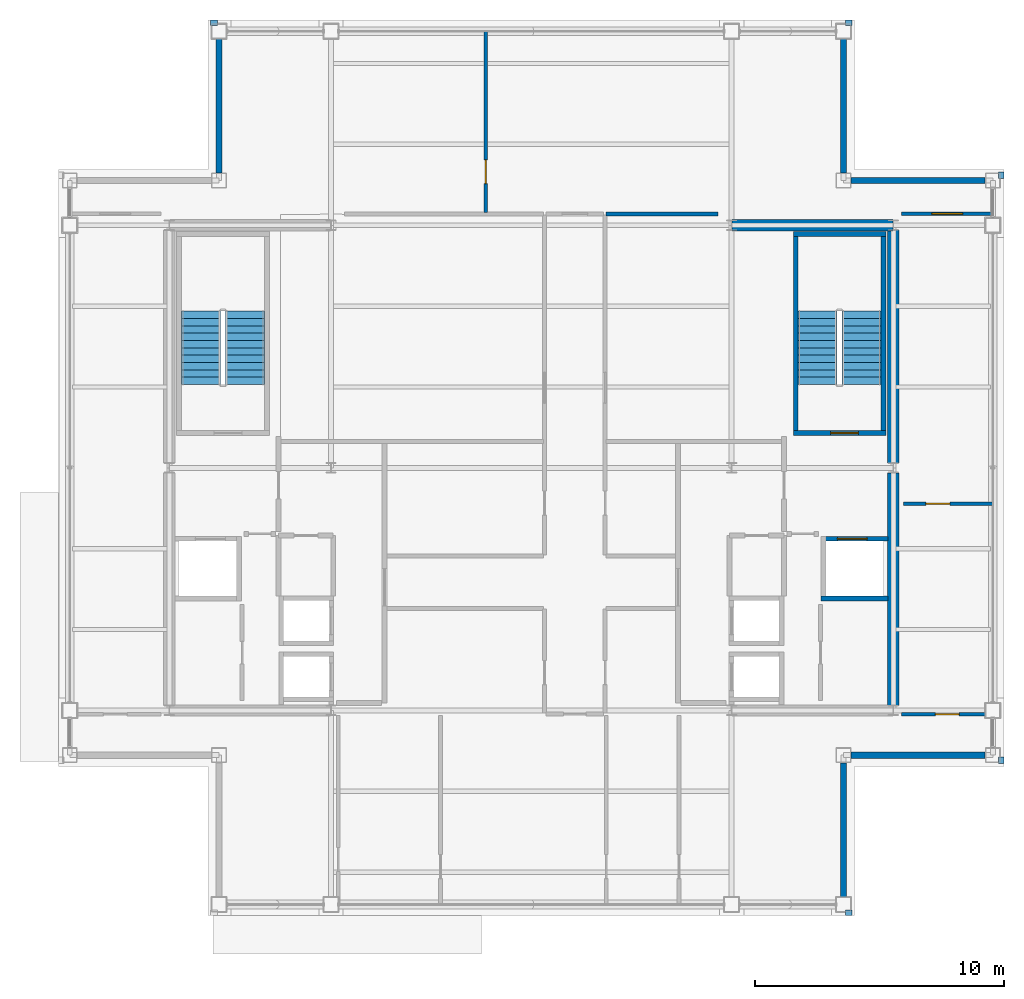
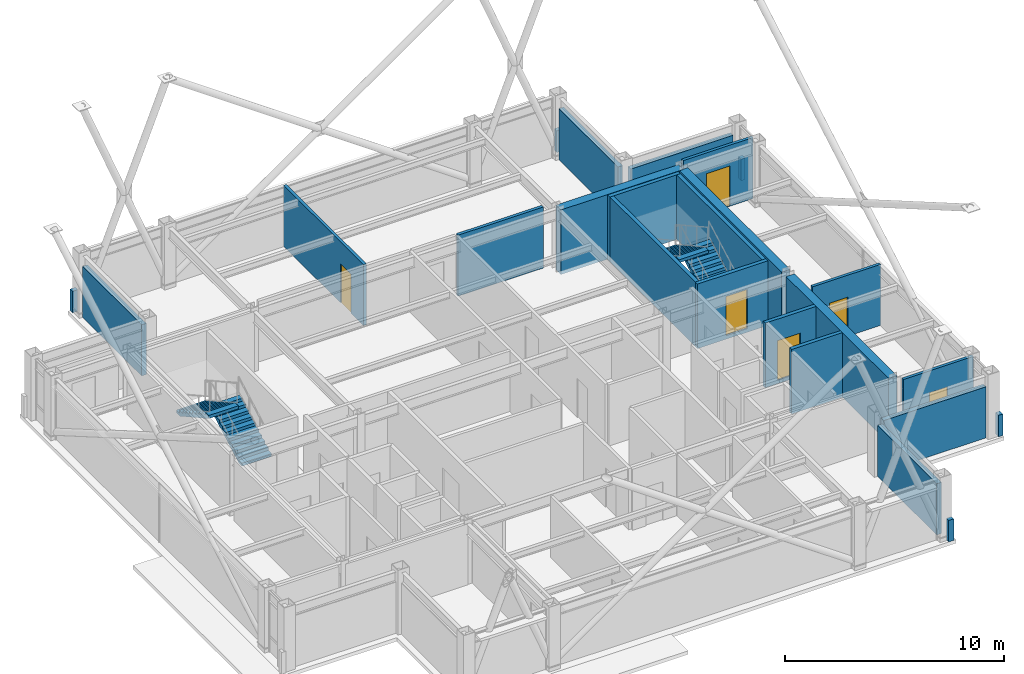
# One storey, part 23 of 24: 24 walls, 6 doors, 4 stair flights, 6 openings, 2 elements without a shape of their own.
"""IFC4 building model written with IfcOpenShell, lengths in metres."""

import ifcopenshell
import ifcopenshell.guid

model = None  # the IFC model being written
_history = None  # IfcOwnerHistory: only IFC2X3 demands one
_inside = {}  # id of a spatial element -> (the spatial element, [elements in it])
_under = {}  # id of a project, library or spatial element -> (it, [spatial elements below it])
_declared = {}  # id of a project -> (the project, [libraries it declares])
_typed = {}  # id of a type object -> (the type object, [elements of that type])
_made_of = {}  # id of a material, layer set ... -> (it, [elements and type objects made of it])


def new_model(schema):
    """Start an empty IFC model of exactly this schema.

    Asked for "IFC4X3", IfcOpenShell would pick the latest addendum, in which some entities
    have other attributes; the version numbers below select the first issue.
    IFC2X3 requires an IfcOwnerHistory on every rooted entity: one is made here for all.
    """
    global model, _history
    if schema == "IFC4X3":
        model = ifcopenshell.file(schema_version=(4, 3, 0, 0))
    else:
        model = ifcopenshell.file(schema=schema)
    _inside.clear()
    _under.clear()
    _declared.clear()
    _typed.clear()
    _made_of.clear()
    _history = None
    if model.schema == "IFC2X3":
        org = make("IfcOrganization", Name="unknown")
        user = make(
            "IfcPersonAndOrganization",
            ThePerson=make("IfcPerson", FamilyName="unknown"),
            TheOrganization=org,
        )
        app = make(
            "IfcApplication",
            ApplicationDeveloper=org,
            Version="unknown",
            ApplicationFullName="unknown",
            ApplicationIdentifier="unknown",
        )
        _history = make(
            "IfcOwnerHistory",
            OwningUser=user,
            OwningApplication=app,
            ChangeAction="ADDED",
            CreationDate=0,
        )
    return model


def make(cls, **values):
    """One entity of the class cls with the attributes given. An attribute that is None is left unset."""
    return model.create_entity(
        cls, **{name: value for name, value in values.items() if value is not None}
    )


def rooted(cls, **values):
    """An entity with a GlobalId (a new one), such as an element, a storey or a relation."""
    return make(cls, GlobalId=ifcopenshell.guid.new(), OwnerHistory=_history, **values)


def si_unit(unit_type, name, prefix=None):
    """IfcSIUnit, for example si_unit("LENGTHUNIT", "METRE", prefix="MILLI")."""
    return make("IfcSIUnit", UnitType=unit_type, Prefix=prefix, Name=name)


def assignment(units):
    """IfcUnitAssignment: the units of a project."""
    return None if units is None else make("IfcUnitAssignment", Units=units)


def point(xyz):
    """IfcCartesianPoint."""
    return None if xyz is None else make("IfcCartesianPoint", Coordinates=xyz)


def direction(xyz):
    """IfcDirection."""
    return None if xyz is None else make("IfcDirection", DirectionRatios=xyz)


def frame(location, z_axis=None, x_axis=None):
    """IfcAxis2Placement3D, a coordinate frame: its origin and axes. An axis left out is left unset."""
    return make(
        "IfcAxis2Placement3D",
        Location=point(location),
        Axis=direction(z_axis),
        RefDirection=direction(x_axis),
    )


def frame_2d(location, x_axis=None):
    """IfcAxis2Placement2D, a coordinate frame in the plane: its origin and x axis."""
    return make(
        "IfcAxis2Placement2D", Location=point(location), RefDirection=direction(x_axis)
    )


def origin():
    """The frame at (0, 0, 0) with its axes left unset."""
    return frame((0.0, 0.0, 0.0))


def place(relative_to, where):
    """IfcLocalPlacement: puts the frame where relative to a parent placement (None: the world)."""
    return make(
        "IfcLocalPlacement", PlacementRelTo=relative_to, RelativePlacement=where
    )


def context(
    kind, dimensions, precision=None, world=None, true_north=None, identifier=None
):
    """IfcGeometricRepresentationContext, for example the 3D "Model" context."""
    return make(
        "IfcGeometricRepresentationContext",
        ContextIdentifier=identifier,
        ContextType=kind,
        CoordinateSpaceDimension=dimensions,
        Precision=precision,
        WorldCoordinateSystem=world,
        TrueNorth=true_north,
    )


def subcontext(parent, identifier, kind, view, scale=None):
    """IfcGeometricRepresentationSubContext, for example "Body" below "Model"."""
    return make(
        "IfcGeometricRepresentationSubContext",
        ContextIdentifier=identifier,
        ContextType=kind,
        ParentContext=parent,
        TargetScale=scale,
        TargetView=view,
    )


def project(units=None, contexts=None):
    """IfcProject with its units and contexts."""
    return rooted(
        "IfcProject",
        Name="project",
        RepresentationContexts=contexts,
        UnitsInContext=assignment(units),
    )


def spatial(cls, under=None, at=None, **own):
    """A site, building, storey or space (cls), placed at a placement, below another one or the project."""
    s = rooted(cls, ObjectPlacement=at, **own)
    if under is not None:
        _under.setdefault(under.id(), (under, []))[1].append(s)
    return s


def polyline(points):
    """IfcPolyline through the points."""
    return make("IfcPolyline", Points=[point(p) for p in points])


def profile(cls, at=None, kind="AREA", **sizes):
    """A parametric profile (cls). Its sizes go by their IFC names, for example OverallWidth=200.0."""
    return make(cls, ProfileType=kind, Position=at, **sizes)


def rectangle(**sizes):
    """IfcRectangleProfileDef."""
    return profile("IfcRectangleProfileDef", **sizes)


def outline(outer, holes=None, kind="AREA"):
    """IfcArbitraryClosedProfileDef: a profile drawn as a closed curve; with holes, ...WithVoids."""
    if holes is None:
        return make("IfcArbitraryClosedProfileDef", ProfileType=kind, OuterCurve=outer)
    return make(
        "IfcArbitraryProfileDefWithVoids",
        ProfileType=kind,
        OuterCurve=outer,
        InnerCurves=holes,
    )


def extrude(swept, where, along, depth):
    """IfcExtrudedAreaSolid: the profile swept, set in the frame where, extruded along a direction by depth."""
    return make(
        "IfcExtrudedAreaSolid",
        SweptArea=swept,
        Position=where,
        ExtrudedDirection=direction(along),
        Depth=depth,
    )


def shape(context_of_items, identifier, shape_type, items):
    """IfcShapeRepresentation: the items that make up one representation, for example the "Body"."""
    return make(
        "IfcShapeRepresentation",
        ContextOfItems=context_of_items,
        RepresentationIdentifier=identifier,
        RepresentationType=shape_type,
        Items=items,
    )


def material(Name=None, Category=None):
    """IfcMaterial."""
    return make("IfcMaterial", Name=Name, Category=Category)


def layer(
    of_material, thickness, ventilated=None, Name=None, Category=None, Priority=None
):
    """IfcMaterialLayer: one layer of a wall or slab, of a material (None: an air gap)."""
    return make(
        "IfcMaterialLayer",
        Material=of_material,
        LayerThickness=thickness,
        IsVentilated=ventilated,
        Name=Name,
        Category=Category,
        Priority=Priority,
    )


def layer_set(layers, Name=None):
    """IfcMaterialLayerSet."""
    return make("IfcMaterialLayerSet", MaterialLayers=layers, LayerSetName=Name)


def made_of(thing, what):
    """Note that an element or type object is made of a material, layer set ...; save() writes the relation."""
    if what is not None:
        _made_of.setdefault(what.id(), (what, []))[1].append(thing)
    return thing


def type_object(cls, material=None, **own):
    """A type object (cls), such as IfcWallType, which elements share."""
    return made_of(rooted(cls, **own), material)


def element(
    cls,
    number,
    at=None,
    inside=None,
    cuts=None,
    type_object=None,
    material=None,
    context=None,
    identifier="Body",
    shape_type=None,
    held_by="IfcProductDefinitionShape",
    body=None,
    shapes=None,
    **own,
):
    """One element of the class cls, such as IfcWall. Its Tag is "e" and its number.

    at: its placement. inside: the storey or other place that contains it. cuts: it is an
    opening in that element (IfcRelVoidsElement). A single representation is given by context,
    identifier, shape_type and body (its items); several are given by shapes. held_by: the class
    of the entity that holds the representations. save() writes the other relations.
    """
    e = rooted(cls, Tag="e%d" % number, ObjectPlacement=at, **own)
    if body is not None:
        shapes = [shape(context, identifier, shape_type, body)]
    if shapes is not None:
        e.Representation = make(held_by, Representations=shapes)
    if inside is not None:
        _inside.setdefault(inside.id(), (inside, []))[1].append(e)
    if cuts is not None:
        rooted(
            "IfcRelVoidsElement", RelatingBuildingElement=cuts, RelatedOpeningElement=e
        )
    if type_object is not None:
        _typed.setdefault(type_object.id(), (type_object, []))[1].append(e)
    return made_of(e, material)


def fill(opening, filler):
    """IfcRelFillsElement: the door or window that sits in an opening."""
    return rooted(
        "IfcRelFillsElement",
        RelatingOpeningElement=opening,
        RelatedBuildingElement=filler,
    )


def aggregate(whole, parts):
    """IfcRelAggregates: a whole, such as a stair, and the parts it consists of."""
    return rooted("IfcRelAggregates", RelatingObject=whole, RelatedObjects=parts)


def save(model, path):
    """Write the relations noted so far, then the file.

    IfcRelAggregates (storeys below a building ...), IfcRelContainedInSpatialStructure (elements
    in a storey), IfcRelDefinesByType, IfcRelAssociatesMaterial and IfcRelDeclares: one each for
    every whole, place, type object, material and project.
    """
    for whole, parts in _under.values():
        aggregate(whole, parts)
    for where, things in _inside.values():
        rooted(
            "IfcRelContainedInSpatialStructure",
            RelatedElements=things,
            RelatingStructure=where,
        )
    for kind, things in _typed.values():
        rooted("IfcRelDefinesByType", RelatedObjects=things, RelatingType=kind)
    for what, things in _made_of.values():
        rooted("IfcRelAssociatesMaterial", RelatedObjects=things, RelatingMaterial=what)
    for by, libraries in _declared.values():
        rooted("IfcRelDeclares", RelatingContext=by, RelatedDefinitions=libraries)
    model.write(path)


model = new_model("IFC4")

# Units and contexts
model_context = context("Model", 3, precision=1e-05, world=origin(), true_north=direction((0.0, 1.0)))
body_context = subcontext(model_context, "Body", "Model", "MODEL_VIEW")
ifc_project = project(units=[si_unit("LENGTHUNIT", "METRE"), si_unit("AREAUNIT", "SQUARE_METRE"), si_unit("VOLUMEUNIT", "CUBIC_METRE"), si_unit("PLANEANGLEUNIT", "RADIAN"), si_unit("MASSUNIT", "GRAM", prefix="KILO")], contexts=[model_context])

# Site, building, storey
site_placement = place(None, origin())
site = spatial("IfcSite", under=ifc_project, at=site_placement, CompositionType="ELEMENT")
building_placement = place(site_placement, origin())
building = spatial("IfcBuilding", under=site, at=building_placement, Name="Brelmoor Portico Tower", CompositionType="ELEMENT")
storey_placement = place(building_placement, frame((0.0, 0.0, 268.800048828125)))
storey = spatial("IfcBuildingStorey", under=building, at=storey_placement, Name="L71", CompositionType="ELEMENT", Elevation=268.800048828125)

# Walls
ifc_material_1 = material(Name="Concrete C50", Category="concrete")
ifc_layer_1 = layer(ifc_material_1, 0.449951171875)
ifc_layer_set_1 = layer_set([ifc_layer_1], Name="Concrete C50")
wall_type_1 = type_object("IfcWallType", Name="WL-CORE-450", PredefinedType="SHEAR", material=ifc_layer_set_1)
wall_1_placement = place(storey_placement, frame((8.070068359375, 9.75, -0.199951171875), z_axis=(0.0, 0.0, 1.0), x_axis=(1.0, 0.0, 0.0)))
element("IfcWall", 1, at=wall_1_placement, inside=storey, type_object=wall_type_1, Name="L71 EC North Shear Wall", PredefinedType="SHEAR", context=body_context, shape_type="SweptSolid", body=[
    extrude(rectangle(XDim=6.4599609375, YDim=0.449951171875, at=frame_2d((3.22998046875, 0.0))), origin(), (0.0, 0.0, 1.0), 3.599853515625),
])
for number, where, z_axis, x_axis, name in (
    (2, (14.550048828125, -9.550048828125, -0.199951171875), (0.0, 0.0, 1.0), (0.0, 1.0, 0.0), "L71 EC Outer South Shear Wall"),
    (3, (14.550048828125, 0.199951171875, -0.199951171875), (0.0, 0.0, 1.0), (0.0, 1.0, 0.0), "L71 EC Outer North Shear Wall"),
):
    element("IfcWall", number, at=place(storey_placement, frame(where, z_axis=z_axis, x_axis=x_axis)), inside=storey, type_object=wall_type_1, Name=name, PredefinedType="SHEAR", context=body_context, shape_type="SweptSolid", body=[
        extrude(rectangle(XDim=9.35009765625, YDim=0.449951171875, at=frame_2d((4.675048828125, 0.0))), origin(), (0.0, 0.0, 1.0), 3.599853515625),
    ])
ifc_material_2 = material(Name="Precast Concrete C40 Insulated Facade Wall", Category="concrete")
ifc_layer_2 = layer(ifc_material_2, 0.25)
ifc_layer_set_2 = layer_set([ifc_layer_2], Name="Precast Concrete C40 Insulated Facade Wall")
wall_type_2 = type_object("IfcWallType", Name="WL-EXT-250", PredefinedType="STANDARD", material=ifc_layer_set_2)
for number, where, z_axis, x_axis, name in (
    (4, (12.860107421875, -11.550048828125, 0.0), (0.0, 0.0, 1.0), (1.0, 0.0, 0.0), "L71 Corner Notch Facade Wall NSEH1"),
    (5, (12.550048828125, -17.239990234375, 0.0), (0.0, 0.0, 1.0), (0.0, 1.0, 0.0), "L71 Corner Notch Facade Wall NSEV1"),
    (6, (-12.550048828125, 11.860107421875, 0.0), (0.0, 0.0, 1.0), (0.0, 1.0, 0.0), "L71 Corner Notch Facade Wall NNWV1"),
    (7, (12.860107421875, 11.550048828125, 0.0), (0.0, 0.0, 1.0), (1.0, 0.0, 0.0), "L71 Corner Notch Facade Wall NNEH1"),
    (8, (12.550048828125, 11.860107421875, 0.0), (0.0, 0.0, 1.0), (0.0, 1.0, 0.0), "L71 Corner Notch Facade Wall NNEV1"),
):
    element("IfcWall", number, at=place(storey_placement, frame(where, z_axis=z_axis, x_axis=x_axis)), inside=storey, type_object=wall_type_2, Name=name, PredefinedType="STANDARD", context=body_context, shape_type="SweptSolid", body=[
        extrude(rectangle(XDim=5.3798828125, YDim=0.25, at=frame_2d((2.68994140625, 0.0))), origin(), (0.0, 0.0, 1.0), 2.849853515625),
    ])
ifc_material_3 = material(Name="Concrete C40 Parapet Upstand", Category="concrete")
ifc_layer_3 = layer(ifc_material_3, 0.219970703125)
ifc_layer_set_3 = layer_set([ifc_layer_3], Name="Concrete C40 Parapet Upstand")
wall_type_3 = type_object("IfcWallType", Name="WL-PARAPET-220", PredefinedType="PARAPET", material=ifc_layer_set_3)
for number, where, z_axis, x_axis, name in (
    (9, (12.6201171875, -17.889892578125, 0.0), (0.0, 0.0, 1.0), (1.0, 0.0, 0.0), "L71 Chamfer Vertex Parapet Pier SE1"),
    (10, (18.889892578125, -11.889892578125, 0.0), (0.0, 0.0, 1.0), (0.0, 1.0, 0.0), "L71 Chamfer Vertex Parapet Pier SE2"),
    (11, (-12.889892578125, 17.889892578125, 0.0), (0.0, 0.0, 1.0), (1.0, 0.0, 0.0), "L71 Chamfer Vertex Parapet Pier NW1"),
    (12, (12.6201171875, 17.889892578125, 0.0), (0.0, 0.0, 1.0), (1.0, 0.0, 0.0), "L71 Chamfer Vertex Parapet Pier NE1"),
    (13, (18.889892578125, 11.6201171875, 0.0), (0.0, 0.0, 1.0), (0.0, 1.0, 0.0), "L71 Chamfer Vertex Parapet Pier NE2"),
):
    element("IfcWall", number, at=place(storey_placement, frame(where, z_axis=z_axis, x_axis=x_axis)), inside=storey, type_object=wall_type_3, Name=name, PredefinedType="PARAPET", context=body_context, shape_type="SweptSolid", body=[
        extrude(rectangle(XDim=0.269775390625, YDim=0.219970703125, at=frame_2d((0.134765625, 0.0))), origin(), (0.0, 0.0, 1.0), 1.199951171875),
    ])

# Wall, opening, door
ifc_material_4 = material(Name="Wet-Area Moisture-Resistant Partition", Category="gypsum")
ifc_layer_4 = layer(ifc_material_4, 0.14990234375)
ifc_layer_set_4 = layer_set([ifc_layer_4], Name="Wet-Area Moisture-Resistant Partition")
wall_type_4 = type_object("IfcWallType", Name="WL-PART-150", PredefinedType="PARTITIONING", material=ifc_layer_set_4)
wall_2_placement = place(storey_placement, frame((-1.82568359375, 10.27001953125, 0.0), z_axis=(0.0, 0.0, 1.0), x_axis=(0.0, 1.0, 0.0)))
wall_2 = element("IfcWall", 14, at=wall_2_placement, inside=storey, type_object=wall_type_4, Name="L71 North Suite Partition 1", PredefinedType="PARTITIONING", context=body_context, shape_type="SweptSolid", body=[
    extrude(rectangle(XDim=7.2900390625, YDim=0.14990234375, at=frame_2d((3.64501953125, 0.0))), origin(), (0.0, 0.0, 1.0), 3.39990234375),
])
opening_1_placement = place(wall_2_placement, frame((1.14990234375, 0.0, 0.0)))
opening_1 = element("IfcOpeningElement", 15, at=opening_1_placement, cuts=wall_2, Name="Opening D-IN2", PredefinedType="OPENING", context=body_context, shape_type="SweptSolid", body=[
    extrude(rectangle(XDim=0.9599609375, YDim=2.179931640625, at=frame_2d((0.47998046875, 1.08984375))), frame((0.0, 0.0849609375, 0.0), z_axis=(0.0, -1.0, 0.0), x_axis=(1.0, 0.0, 0.0)), (0.0, 0.0, 1.0), 0.169921875),
])
ifc_material_5 = material(Name="Lacquered Timber Suite Door", Category="wood")
door_type_1 = type_object("IfcDoorType", Name="DR-INT-950", OperationType="NOTDEFINED", PredefinedType="DOOR", material=ifc_material_5)
door_1_placement = place(opening_1_placement, origin())
door_1 = element("IfcDoor", 16, at=door_1_placement, inside=storey, type_object=door_type_1, Name="D-2919 L71 North Suite Connecting Door 1", OperationType="SINGLE_SWING_LEFT", OverallHeight=2.179931640625, OverallWidth=0.9599609375, PredefinedType="DOOR", context=body_context, shape_type="SweptSolid", body=[
    extrude(rectangle(XDim=0.9599609375, YDim=2.179931640625, at=frame_2d((0.47998046875, 1.08984375))), frame((0.0, 0.02490234375, 0.0), z_axis=(0.0, -1.0, 0.0), x_axis=(1.0, 0.0, 0.0)), (0.0, 0.0, 1.0), 0.050048828125),
])
fill(opening_1, door_1)

wall_3_placement = place(storey_placement, frame((14.8798828125, 10.2099609375, 0.0), z_axis=(0.0, 0.0, 1.0), x_axis=(1.0, 0.0, 0.0)))
wall_3 = element("IfcWall", 17, at=wall_3_placement, inside=storey, type_object=wall_type_4, Name="L71 North Wing Suite Wall ER", PredefinedType="PARTITIONING", context=body_context, shape_type="SweptSolid", body=[
    extrude(rectangle(XDim=3.68017578125, YDim=0.14990234375, at=frame_2d((1.840087890625, 0.0))), origin(), (0.0, 0.0, 1.0), 3.39990234375),
])
opening_2_placement = place(wall_3_placement, frame((1.219970703125, 0.0, 0.0)))
opening_2 = element("IfcOpeningElement", 18, at=opening_2_placement, cuts=wall_3, Name="Opening D-SU1", PredefinedType="OPENING", context=body_context, shape_type="SweptSolid", body=[
    extrude(rectangle(XDim=1.239990234375, YDim=2.239990234375, at=frame_2d((0.6201171875, 1.1201171875))), frame((0.0, 0.0849609375, 0.0), z_axis=(0.0, -1.0, 0.0), x_axis=(1.0, 0.0, 0.0)), (0.0, 0.0, 1.0), 0.169921875),
])
ifc_material_6 = material(Name="Glazed Timber Executive Suite Door", Category="wood")
door_type_2 = type_object("IfcDoorType", Name="DR-SUITE-1200", OperationType="NOTDEFINED", PredefinedType="DOOR", material=ifc_material_6)
door_2_placement = place(opening_2_placement, origin())
door_2 = element("IfcDoor", 19, at=door_2_placement, inside=storey, type_object=door_type_2, Name="D-2920 L71 ER Wing Suite Connecting Door", OperationType="SINGLE_SWING_RIGHT", OverallHeight=2.239990234375, OverallWidth=1.239990234375, PredefinedType="DOOR", context=body_context, shape_type="SweptSolid", body=[
    extrude(rectangle(XDim=1.239990234375, YDim=2.239990234375, at=frame_2d((0.6201171875, 1.1201171875))), frame((0.0, 0.02490234375, 0.0), z_axis=(0.0, -1.0, 0.0), x_axis=(1.0, 0.0, 0.0)), (0.0, 0.0, 1.0), 0.050048828125),
])
fill(opening_2, door_2)

wall_4_placement = place(storey_placement, frame((14.8798828125, -9.89990234375, 0.0), z_axis=(0.0, 0.0, 1.0), x_axis=(1.0, 0.0, 0.0)))
wall_4 = element("IfcWall", 20, at=wall_4_placement, inside=storey, type_object=wall_type_4, Name="L71 South Wing Closure ER", PredefinedType="PARTITIONING", context=body_context, shape_type="SweptSolid", body=[
    extrude(rectangle(XDim=3.68017578125, YDim=0.14990234375, at=frame_2d((1.840087890625, 0.0))), origin(), (0.0, 0.0, 1.0), 3.39990234375),
])
opening_3_placement = place(wall_4_placement, frame((1.360107421875, 0.0, 0.0)))
opening_3 = element("IfcOpeningElement", 21, at=opening_3_placement, cuts=wall_4, Name="Opening D-IN2", PredefinedType="OPENING", context=body_context, shape_type="SweptSolid", body=[
    extrude(rectangle(XDim=0.9599609375, YDim=2.179931640625, at=frame_2d((0.47998046875, 1.08984375))), frame((0.0, 0.0849609375, 0.0), z_axis=(0.0, -1.0, 0.0), x_axis=(1.0, 0.0, 0.0)), (0.0, 0.0, 1.0), 0.169921875),
])
door_3_placement = place(opening_3_placement, origin())
door_3 = element("IfcDoor", 22, at=door_3_placement, inside=storey, type_object=door_type_1, Name="D-2929 L71 ER Wing South Suite Door", OperationType="SINGLE_SWING_LEFT", OverallHeight=2.179931640625, OverallWidth=0.9599609375, PredefinedType="DOOR", context=body_context, shape_type="SweptSolid", body=[
    extrude(rectangle(XDim=0.9599609375, YDim=2.179931640625, at=frame_2d((0.47998046875, 1.08984375))), frame((0.0, 0.02490234375, 0.0), z_axis=(0.0, -1.0, 0.0), x_axis=(1.0, 0.0, 0.0)), (0.0, 0.0, 1.0), 0.050048828125),
])
fill(opening_3, door_3)

wall_5_placement = place(storey_placement, frame((14.9599609375, -1.44091796875, 0.0), z_axis=(0.0, 0.0, 1.0), x_axis=(1.0, 0.0, 0.0)))
wall_5 = element("IfcWall", 23, at=wall_5_placement, inside=storey, type_object=wall_type_4, Name="L71 E Wing Partition 1", PredefinedType="PARTITIONING", context=body_context, shape_type="SweptSolid", body=[
    extrude(rectangle(XDim=3.60009765625, YDim=0.14990234375, at=frame_2d((1.800048828125, 0.0))), origin(), (0.0, 0.0, 1.0), 3.39990234375),
])
opening_4_placement = place(wall_5_placement, frame((0.89990234375, 0.0, 0.0)))
opening_4 = element("IfcOpeningElement", 24, at=opening_4_placement, cuts=wall_5, Name="Opening D-IN2", PredefinedType="OPENING", context=body_context, shape_type="SweptSolid", body=[
    extrude(rectangle(XDim=0.9599609375, YDim=2.179931640625, at=frame_2d((0.47998046875, 1.08984375))), frame((0.0, 0.0849609375, 0.0), z_axis=(0.0, -1.0, 0.0), x_axis=(1.0, 0.0, 0.0)), (0.0, 0.0, 1.0), 0.169921875),
])
door_4_placement = place(opening_4_placement, origin())
door_4 = element("IfcDoor", 25, at=door_4_placement, inside=storey, type_object=door_type_1, Name="D-2931 L71 E Wing Suite Connecting Door 1", OperationType="SINGLE_SWING_RIGHT", OverallHeight=2.179931640625, OverallWidth=0.9599609375, PredefinedType="DOOR", context=body_context, shape_type="SweptSolid", body=[
    extrude(rectangle(XDim=0.9599609375, YDim=2.179931640625, at=frame_2d((0.47998046875, 1.08984375))), frame((0.0, 0.02490234375, 0.0), z_axis=(0.0, -1.0, 0.0), x_axis=(1.0, 0.0, 0.0)), (0.0, 0.0, 1.0), 0.050048828125),
])
fill(opening_4, door_4)

# Wall
ifc_material_7 = material(Name="Twin-Frame Acoustic Partition", Category="gypsum")
ifc_layer_5 = layer(ifc_material_7, 0.159912109375)
ifc_layer_set_5 = layer_set([ifc_layer_5], Name="Twin-Frame Acoustic Partition")
wall_type_5 = type_object("IfcWallType", Name="WL-PART-160", PredefinedType="PARTITIONING", material=ifc_layer_set_5)
wall_6_placement = place(storey_placement, frame((3.010009765625, 10.2099609375, 0.0), z_axis=(0.0, 0.0, 1.0), x_axis=(1.0, 0.0, 0.0)))
element("IfcWall", 26, at=wall_6_placement, inside=storey, type_object=wall_type_5, Name="L71 East Suite North Wall", PredefinedType="PARTITIONING", context=body_context, shape_type="SweptSolid", body=[
    extrude(rectangle(XDim=4.489990234375, YDim=0.159912109375, at=frame_2d((2.2451171875, 0.0))), origin(), (0.0, 0.0, 1.0), 3.39990234375),
])

# Wall, opening, door
ifc_material_8 = material(Name="Precast Concrete C40", Category="concrete")
ifc_layer_6 = layer(ifc_material_8, 0.18994140625)
ifc_layer_set_6 = layer_set([ifc_layer_6], Name="Precast Concrete C40")
wall_type_6 = type_object("IfcWallType", Name="WL-SHAFT-180", PredefinedType="SOLIDWALL", material=ifc_layer_set_6)
wall_7_placement = place(storey_placement, frame((11.64990234375, -2.844970703125, -0.199951171875), z_axis=(0.0, 0.0, 1.0), x_axis=(1.0, 0.0, 0.0)))
wall_7 = element("IfcWall", 27, at=wall_7_placement, inside=storey, type_object=wall_type_6, Name="L71 Lift FF2 Hoistway Front Wall", PredefinedType="SOLIDWALL", context=body_context, shape_type="SweptSolid", body=[
    extrude(rectangle(XDim=2.68017578125, YDim=0.18994140625, at=frame_2d((1.340087890625, 0.0))), origin(), (0.0, 0.0, 1.0), 3.599853515625),
])
opening_5_placement = place(wall_7_placement, frame((0.64990234375, 0.0, 0.199951171875)))
opening_5 = element("IfcOpeningElement", 28, at=opening_5_placement, cuts=wall_7, Name="Opening LD-02", PredefinedType="OPENING", context=body_context, shape_type="SweptSolid", body=[
    extrude(rectangle(XDim=1.199951171875, YDim=2.199951171875, at=frame_2d((0.60009765625, 1.10009765625))), frame((0.0, 0.10498046875, 0.0), z_axis=(0.0, -1.0, 0.0), x_axis=(1.0, 0.0, 0.0)), (0.0, 0.0, 1.0), 0.2099609375),
])
ifc_material_9 = material(Name="Brushed Stainless Steel Firefighting Lift Door", Category="steel")
door_type_3 = type_object("IfcDoorType", Name="DR-LIFT-1200", OperationType="NOTDEFINED", PredefinedType="DOOR", material=ifc_material_9)
door_5_placement = place(opening_5_placement, origin())
door_5 = element("IfcDoor", 29, at=door_5_placement, inside=storey, type_object=door_type_3, Name="D-2933 L71 Lift FF2 Sliding Landing Door", OperationType="SLIDING_TO_LEFT", OverallHeight=2.199951171875, OverallWidth=1.199951171875, PredefinedType="DOOR", context=body_context, shape_type="SweptSolid", body=[
    extrude(rectangle(XDim=1.199951171875, YDim=2.199951171875, at=frame_2d((0.60009765625, 1.10009765625))), frame((0.0, 0.02490234375, 0.0), z_axis=(0.0, -1.0, 0.0), x_axis=(1.0, 0.0, 0.0)), (0.0, 0.0, 1.0), 0.050048828125),
])
fill(opening_5, door_5)

# Walls
wall_8_placement = place(storey_placement, frame((11.64990234375, -5.2548828125, -0.199951171875), z_axis=(0.0, 0.0, 1.0), x_axis=(1.0, 0.0, 0.0)))
element("IfcWall", 30, at=wall_8_placement, inside=storey, type_object=wall_type_6, Name="L71 Firefighting Lift FF2 South Wall", PredefinedType="SOLIDWALL", context=body_context, shape_type="SweptSolid", body=[
    extrude(rectangle(XDim=2.68017578125, YDim=0.18994140625, at=frame_2d((1.340087890625, 0.0))), origin(), (0.0, 0.0, 1.0), 3.599853515625),
])
ifc_material_10 = material(Name="Concrete C40", Category="concrete")
ifc_layer_7 = layer(ifc_material_10, 0.199951171875)
ifc_layer_set_7 = layer_set([ifc_layer_7], Name="Concrete C40")
wall_type_7 = type_object("IfcWallType", Name="WL-SHAFT-RC200", PredefinedType="SOLIDWALL", material=ifc_layer_set_7)
wall_9_placement = place(storey_placement, frame((14.14990234375, 1.5, -0.199951171875), z_axis=(0.0, 0.0, 1.0), x_axis=(0.0, 1.0, 0.0)))
element("IfcWall", 31, at=wall_9_placement, inside=storey, type_object=wall_type_7, Name="L71 ST-E Structural Stair Wall Outer", PredefinedType="SOLIDWALL", context=body_context, shape_type="SweptSolid", body=[
    extrude(rectangle(XDim=7.800048828125, YDim=0.199951171875, at=frame_2d((3.89990234375, 0.0))), origin(), (0.0, 0.0, 1.0), 3.599853515625),
])

# Wall, opening, door
wall_10_placement = place(storey_placement, frame((10.530029296875, 1.39990234375, -0.199951171875), z_axis=(0.0, 0.0, 1.0), x_axis=(1.0, 0.0, 0.0)))
wall_10 = element("IfcWall", 32, at=wall_10_placement, inside=storey, type_object=wall_type_7, Name="L71 ST-E Structural Stair Wall S", PredefinedType="SOLIDWALL", context=body_context, shape_type="SweptSolid", body=[
    extrude(rectangle(XDim=3.719970703125, YDim=0.199951171875, at=frame_2d((1.85986328125, 0.0))), origin(), (0.0, 0.0, 1.0), 3.599853515625),
])
opening_6_placement = place(wall_10_placement, frame((1.5, 0.0, 0.199951171875)))
opening_6 = element("IfcOpeningElement", 33, at=opening_6_placement, cuts=wall_10, Name="Opening D-ST1", PredefinedType="OPENING", context=body_context, shape_type="SweptSolid", body=[
    extrude(rectangle(XDim=1.1201171875, YDim=2.179931640625, at=frame_2d((0.56005859375, 1.08984375))), frame((0.0, 0.10986328125, 0.0), z_axis=(0.0, -1.0, 0.0), x_axis=(1.0, 0.0, 0.0)), (0.0, 0.0, 1.0), 0.219970703125),
])
ifc_material_11 = material(Name="Painted Galvanised Steel Fire Door", Category="steel")
door_type_4 = type_object("IfcDoorType", Name="DR-STAIR-1100", OperationType="NOTDEFINED", PredefinedType="DOOR", material=ifc_material_11)
door_6_placement = place(opening_6_placement, origin())
door_6 = element("IfcDoor", 34, at=door_6_placement, inside=storey, type_object=door_type_4, Name="D-2927 L71 ST-E Protected Exit Stair Door", OperationType="SINGLE_SWING_RIGHT", OverallHeight=2.179931640625, OverallWidth=1.1201171875, PredefinedType="DOOR", context=body_context, shape_type="SweptSolid", body=[
    extrude(rectangle(XDim=1.1201171875, YDim=2.179931640625, at=frame_2d((0.56005859375, 1.08984375))), frame((0.0, 0.02490234375, 0.0), z_axis=(0.0, -1.0, 0.0), x_axis=(1.0, 0.0, 0.0)), (0.0, 0.0, 1.0), 0.050048828125),
])
fill(opening_6, door_6)

# Walls
wall_11_placement = place(storey_placement, frame((10.530029296875, 9.39990234375, -0.199951171875), z_axis=(0.0, 0.0, 1.0), x_axis=(1.0, 0.0, 0.0)))
element("IfcWall", 35, at=wall_11_placement, inside=storey, type_object=wall_type_7, Name="L71 ST-E Structural Stair Wall N", PredefinedType="SOLIDWALL", context=body_context, shape_type="SweptSolid", body=[
    extrude(rectangle(XDim=3.719970703125, YDim=0.199951171875, at=frame_2d((1.85986328125, 0.0))), origin(), (0.0, 0.0, 1.0), 3.599853515625),
])
wall_12_placement = place(storey_placement, frame((10.6298828125, 1.5, -0.199951171875), z_axis=(0.0, 0.0, 1.0), x_axis=(0.0, 1.0, 0.0)))
element("IfcWall", 36, at=wall_12_placement, inside=storey, type_object=wall_type_7, Name="L71 ST-E Structural Stair Wall Inner", PredefinedType="SOLIDWALL", context=body_context, shape_type="SweptSolid", body=[
    extrude(rectangle(XDim=7.800048828125, YDim=0.199951171875, at=frame_2d((3.89990234375, 0.0))), origin(), (0.0, 0.0, 1.0), 3.599853515625),
])

# Stair, stair flights
stair_type_1 = type_object("IfcStairType", Name="ST-CORE-W", PredefinedType="HALF_TURN_STAIR", material=ifc_material_10)
stair_1_placement = place(storey_placement, origin())
stair_1 = element("IfcStair", 37, at=stair_1_placement, inside=storey, type_object=stair_type_1, Name="L71 Protected Core Exit Stair ST-W", PredefinedType="HALF_TURN_STAIR")
stair_flight_type = type_object("IfcStairFlightType", Name="SF-CORE-1850", PredefinedType="STRAIGHT", material=ifc_material_10)
stair_flight_1_placement = place(storey_placement, frame((-11.510009765625, 3.35009765625, 0.0), z_axis=(0.0, 0.0, 1.0), x_axis=(0.0, 1.0, 0.0)))
stair_flight_1 = element("IfcStairFlight", 38, at=stair_flight_1_placement, type_object=stair_flight_type, Name="ST-W flight 1", NumberOfRisers=11, NumberOfTreads=10, PredefinedType="STRAIGHT", RiserHeight=0.163636364, TreadLength=0.295, context=body_context, shape_type="SweptSolid", body=[
    extrude(outline(polyline([(0.0, 0.0), (0.0, 0.16357421875), (0.294921875, 0.16357421875), (0.294921875, 0.327392578125), (0.590087890625, 0.327392578125), (0.590087890625, 0.490966796875), (0.885009765625, 0.490966796875), (0.885009765625, 0.654541015625), (1.179931640625, 0.654541015625), (1.179931640625, 0.818115234375), (1.47509765625, 0.818115234375), (1.47509765625, 0.98193359375), (1.77001953125, 0.98193359375), (1.77001953125, 1.1455078125), (2.06494140625, 1.1455078125), (2.06494140625, 1.30908203125), (2.360107421875, 1.30908203125), (2.360107421875, 1.47265625), (2.655029296875, 1.47265625), (2.655029296875, 1.636474609375), (2.949951171875, 1.636474609375), (2.949951171875, 1.800048828125), (2.949951171875, 1.46484375), (0.30908203125, 0.0), (0.0, 0.0)])), frame((0.0, 0.780029296875, 0.0), z_axis=(0.0, -1.0, 0.0), x_axis=(1.0, 0.0, 0.0)), (0.0, 0.0, 1.0), 1.56005859375),
])
stair_flight_2_placement = place(storey_placement, frame((-13.27001953125, 6.300048828125, 1.800048828125), z_axis=(0.0, 0.0, 1.0), x_axis=(0.0, -1.0, 0.0)))
stair_flight_2 = element("IfcStairFlight", 39, at=stair_flight_2_placement, type_object=stair_flight_type, Name="ST-W flight 2", NumberOfRisers=11, NumberOfTreads=10, PredefinedType="STRAIGHT", RiserHeight=0.163636364, TreadLength=0.295, context=body_context, shape_type="SweptSolid", body=[
    extrude(outline(polyline([(0.0, 0.0), (0.0, 0.16357421875), (0.294921875, 0.16357421875), (0.294921875, 0.327392578125), (0.590087890625, 0.327392578125), (0.590087890625, 0.490966796875), (0.885009765625, 0.490966796875), (0.885009765625, 0.654541015625), (1.179931640625, 0.654541015625), (1.179931640625, 0.818115234375), (1.47509765625, 0.818115234375), (1.47509765625, 0.98193359375), (1.77001953125, 0.98193359375), (1.77001953125, 1.1455078125), (2.06494140625, 1.1455078125), (2.06494140625, 1.30908203125), (2.360107421875, 1.30908203125), (2.360107421875, 1.47265625), (2.655029296875, 1.47265625), (2.655029296875, 1.636474609375), (2.949951171875, 1.636474609375), (2.949951171875, 1.800048828125), (2.949951171875, 1.46484375), (0.30908203125, 0.0), (0.0, 0.0)])), frame((0.0, 0.780029296875, 0.0), z_axis=(0.0, -1.0, 0.0), x_axis=(1.0, 0.0, 0.0)), (0.0, 0.0, 1.0), 1.56005859375),
])
aggregate(stair_1, [stair_flight_1, stair_flight_2])

stair_type_2 = type_object("IfcStairType", Name="ST-CORE-E", PredefinedType="HALF_TURN_STAIR", material=ifc_material_10)
stair_2_placement = place(storey_placement, origin())
stair_2 = element("IfcStair", 40, at=stair_2_placement, inside=storey, type_object=stair_type_2, Name="L71 Protected Core Exit Stair ST-E", PredefinedType="HALF_TURN_STAIR")
stair_flight_3_placement = place(storey_placement, frame((13.27001953125, 3.35009765625, 0.0), z_axis=(0.0, 0.0, 1.0), x_axis=(0.0, 1.0, 0.0)))
stair_flight_3 = element("IfcStairFlight", 41, at=stair_flight_3_placement, type_object=stair_flight_type, Name="ST-E flight 1", NumberOfRisers=11, NumberOfTreads=10, PredefinedType="STRAIGHT", RiserHeight=0.163636364, TreadLength=0.295, context=body_context, shape_type="SweptSolid", body=[
    extrude(outline(polyline([(0.0, 0.0), (0.0, 0.16357421875), (0.294921875, 0.16357421875), (0.294921875, 0.327392578125), (0.590087890625, 0.327392578125), (0.590087890625, 0.490966796875), (0.885009765625, 0.490966796875), (0.885009765625, 0.654541015625), (1.179931640625, 0.654541015625), (1.179931640625, 0.818115234375), (1.47509765625, 0.818115234375), (1.47509765625, 0.98193359375), (1.77001953125, 0.98193359375), (1.77001953125, 1.1455078125), (2.06494140625, 1.1455078125), (2.06494140625, 1.30908203125), (2.360107421875, 1.30908203125), (2.360107421875, 1.47265625), (2.655029296875, 1.47265625), (2.655029296875, 1.636474609375), (2.949951171875, 1.636474609375), (2.949951171875, 1.800048828125), (2.949951171875, 1.46484375), (0.30908203125, 0.0), (0.0, 0.0)])), frame((0.0, 0.780029296875, 0.0), z_axis=(0.0, -1.0, 0.0), x_axis=(1.0, 0.0, 0.0)), (0.0, 0.0, 1.0), 1.56005859375),
])
stair_flight_4_placement = place(storey_placement, frame((11.510009765625, 6.300048828125, 1.800048828125), z_axis=(0.0, 0.0, 1.0), x_axis=(0.0, -1.0, 0.0)))
stair_flight_4 = element("IfcStairFlight", 42, at=stair_flight_4_placement, type_object=stair_flight_type, Name="ST-E flight 2", NumberOfRisers=11, NumberOfTreads=10, PredefinedType="STRAIGHT", RiserHeight=0.163636364, TreadLength=0.295, context=body_context, shape_type="SweptSolid", body=[
    extrude(outline(polyline([(0.0, 0.0), (0.0, 0.16357421875), (0.294921875, 0.16357421875), (0.294921875, 0.327392578125), (0.590087890625, 0.327392578125), (0.590087890625, 0.490966796875), (0.885009765625, 0.490966796875), (0.885009765625, 0.654541015625), (1.179931640625, 0.654541015625), (1.179931640625, 0.818115234375), (1.47509765625, 0.818115234375), (1.47509765625, 0.98193359375), (1.77001953125, 0.98193359375), (1.77001953125, 1.1455078125), (2.06494140625, 1.1455078125), (2.06494140625, 1.30908203125), (2.360107421875, 1.30908203125), (2.360107421875, 1.47265625), (2.655029296875, 1.47265625), (2.655029296875, 1.636474609375), (2.949951171875, 1.636474609375), (2.949951171875, 1.800048828125), (2.949951171875, 1.46484375), (0.30908203125, 0.0), (0.0, 0.0)])), frame((0.0, 0.780029296875, 0.0), z_axis=(0.0, -1.0, 0.0), x_axis=(1.0, 0.0, 0.0)), (0.0, 0.0, 1.0), 1.56005859375),
])
aggregate(stair_2, [stair_flight_3, stair_flight_4])

save(model, "model.ifc")
